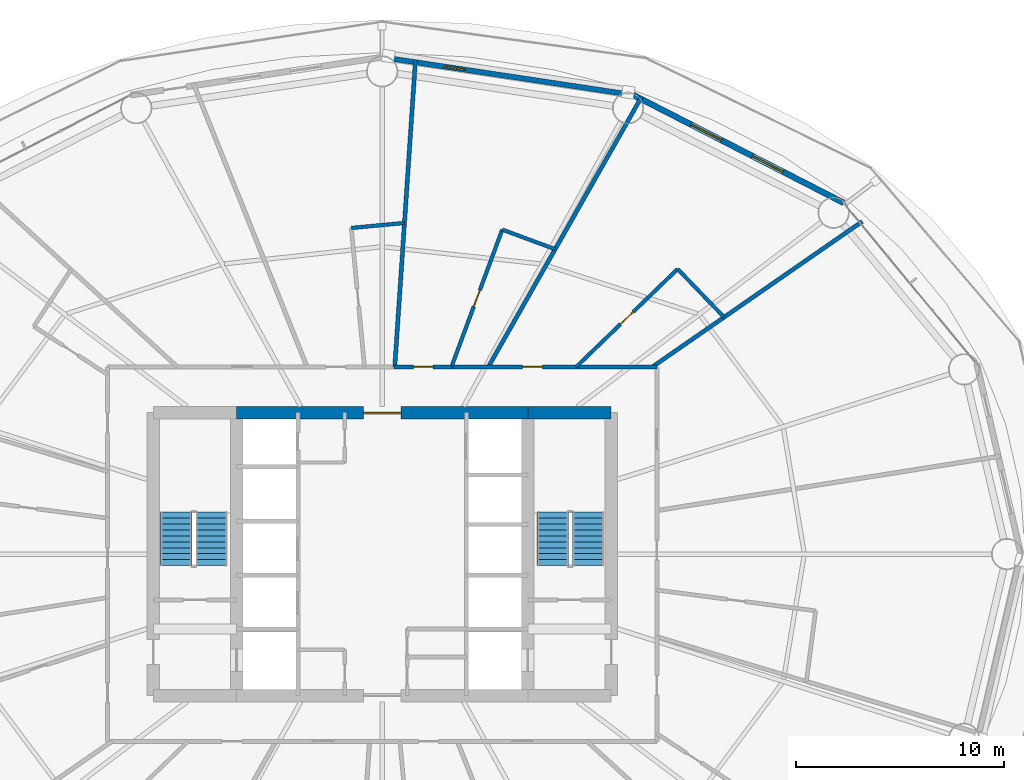
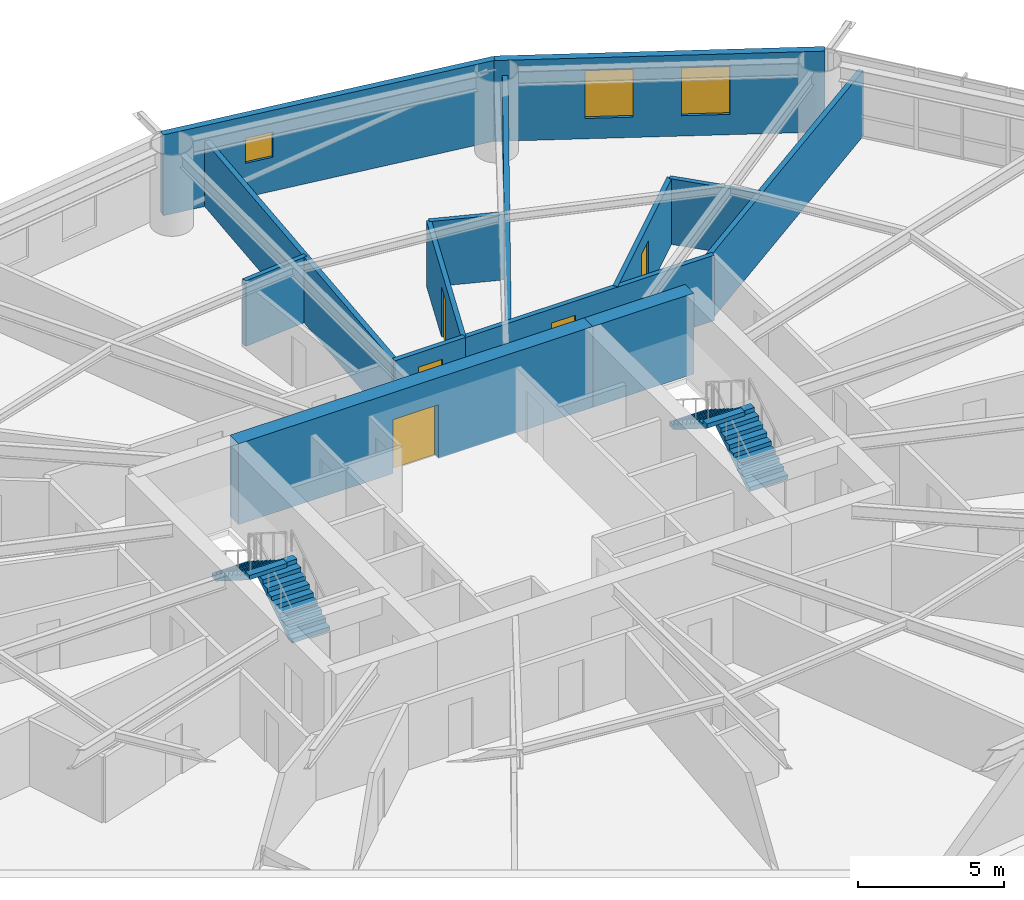
# One storey, part 23 of 26: 14 walls, 5 doors, 4 stair flights, 3 windows, 8 openings, 2 elements without a shape of their own.
"""IFC4 building model written with IfcOpenShell, lengths in metres."""

from ifc_helpers import new_model, si_unit, direction, frame, frame_2d, origin, place, context, subcontext, project, spatial, polyline, rectangle, outline, extrude, material, layer, layer_set, type_object, element, fill, aggregate, save


model = new_model("IFC4")

# Units and contexts
model_context = context("Model", 3, precision=1e-05, world=origin(), true_north=direction((0.0, 1.0)))
body_context = subcontext(model_context, "Body", "Model", "MODEL_VIEW")
ifc_project = project(units=[si_unit("LENGTHUNIT", "METRE"), si_unit("AREAUNIT", "SQUARE_METRE"), si_unit("VOLUMEUNIT", "CUBIC_METRE"), si_unit("PLANEANGLEUNIT", "RADIAN"), si_unit("MASSUNIT", "GRAM", prefix="KILO")], contexts=[model_context])

# Site, building, storey
site_placement = place(None, origin())
site = spatial("IfcSite", under=ifc_project, at=site_placement, CompositionType="ELEMENT")
building_placement = place(site_placement, origin())
building = spatial("IfcBuilding", under=site, at=building_placement, Name="Sarneth Arch Tower", CompositionType="ELEMENT")
storey_placement = place(building_placement, frame((0.0, 0.0, 64.199951171875)))
storey = spatial("IfcBuildingStorey", under=building, at=storey_placement, Name="L15", CompositionType="ELEMENT", Elevation=64.199951171875)

# Wall, opening, door
ifc_material_1 = material(Name="Concrete C60/75", Category="concrete")
ifc_layer_1 = layer(ifc_material_1, 0.60009765625)
ifc_layer_set_1 = layer_set([ifc_layer_1], Name="Concrete C60/75")
wall_type_1 = type_object("IfcWallType", Name="WALL-CORE-600", PredefinedType="SHEAR", material=ifc_layer_set_1)
wall_1_placement = place(storey_placement, frame((41.0, 48.800048828125, 0.0), z_axis=(0.0, 0.0, 1.0), x_axis=(1.0, 0.0, 0.0)))
wall_1 = element("IfcWall", 1, at=wall_1_placement, inside=storey, type_object=wall_type_1, Name="L15 Core shear wall N-M", PredefinedType="SHEAR", context=body_context, shape_type="SweptSolid", body=[
    extrude(rectangle(XDim=14.0, YDim=0.60009765625, at=frame_2d((7.0, 0.0))), origin(), (0.0, 0.0, 1.0), 3.380126953125),
])
opening_1_placement = place(wall_1_placement, frame((6.10009765625, 0.0, 0.0)))
opening_1 = element("IfcOpeningElement", 2, at=opening_1_placement, cuts=wall_1, Name="Opening FD-01", PredefinedType="OPENING", context=body_context, shape_type="SweptSolid", body=[
    extrude(rectangle(XDim=1.800048828125, YDim=2.25, at=frame_2d((0.89990234375, 1.125))), frame((0.0, 0.31005859375, 0.0), z_axis=(0.0, -1.0, 0.0), x_axis=(1.0, 0.0, 0.0)), (0.0, 0.0, 1.0), 0.6201171875),
])
ifc_material_2 = material(Name="Galvanised Steel S275 fire door set", Category="steel")
door_type_1 = type_object("IfcDoorType", Name="DR-FD90-1800", OperationType="DOUBLE_DOOR_SINGLE_SWING", PredefinedType="DOOR", material=ifc_material_2)
door_1_placement = place(opening_1_placement, origin())
door_1 = element("IfcDoor", 3, at=door_1_placement, inside=storey, type_object=door_type_1, Name="L15 Central lift lobby north door", OperationType="DOUBLE_DOOR_SINGLE_SWING", OverallHeight=2.25, OverallWidth=1.800048828125, PredefinedType="DOOR", context=body_context, shape_type="SweptSolid", body=[
    extrude(rectangle(XDim=1.800048828125, YDim=2.25, at=frame_2d((0.89990234375, 1.125))), frame((0.0, 0.02490234375, 0.0), z_axis=(0.0, -1.0, 0.0), x_axis=(1.0, 0.0, 0.0)), (0.0, 0.0, 1.0), 0.050048828125),
])
fill(opening_1, door_1)

# Wall
wall_2_placement = place(storey_placement, frame((55.0, 48.800048828125, 0.0), z_axis=(0.0, 0.0, 1.0), x_axis=(1.0, 0.0, 0.0)))
element("IfcWall", 4, at=wall_2_placement, inside=storey, type_object=wall_type_1, Name="L15 Core shear wall N-E", PredefinedType="SHEAR", context=body_context, shape_type="SweptSolid", body=[
    extrude(rectangle(XDim=4.0, YDim=0.60009765625, at=frame_2d((2.0, 0.0))), origin(), (0.0, 0.0, 1.0), 3.380126953125),
])

# Wall, opening, door
ifc_material_3 = material(Name="Double steel-stud corridor fire wall", Category="steel")
ifc_layer_2 = layer(ifc_material_3, 0.18994140625)
ifc_layer_set_2 = layer_set([ifc_layer_2], Name="Double steel-stud corridor fire wall")
wall_type_2 = type_object("IfcWallType", Name="WALL-CORR-190", PredefinedType="PARTITIONING", material=ifc_layer_set_2)
wall_3_placement = place(storey_placement, frame((51.297607421875, 51.0, 0.0), z_axis=(0.0, 0.0, 1.0), x_axis=(1.0, 0.0, 0.0)))
wall_3 = element("IfcWall", 5, at=wall_3_placement, inside=storey, type_object=wall_type_2, Name="L15 Interior partition W-L15-TP-003", PredefinedType="PARTITIONING", context=body_context, shape_type="SweptSolid", body=[
    extrude(rectangle(XDim=9.90234375, YDim=0.18994140625, at=frame_2d((4.951171875, 0.0))), origin(), (0.0, 0.0, 1.0), 2.739990234375),
])
opening_2_placement = place(wall_3_placement, frame((3.449951171875, 0.0, 0.0)))
opening_2 = element("IfcOpeningElement", 6, at=opening_2_placement, cuts=wall_3, Name="Opening FD-09", PredefinedType="OPENING", context=body_context, shape_type="SweptSolid", body=[
    extrude(rectangle(XDim=0.949951171875, YDim=2.14990234375, at=frame_2d((0.47509765625, 1.074951171875))), frame((0.0, 0.10498046875, 0.0), z_axis=(0.0, -1.0, 0.0), x_axis=(1.0, 0.0, 0.0)), (0.0, 0.0, 1.0), 0.2099609375),
])
ifc_material_4 = material(Name="Hardwood timber hotel entrance fire door", Category="wood")
door_type_2 = type_object("IfcDoorType", Name="DR-FD60-950", OperationType="SINGLE_SWING_RIGHT", PredefinedType="DOOR", material=ifc_material_4)
door_2_placement = place(opening_2_placement, origin())
door_2 = element("IfcDoor", 7, at=door_2_placement, inside=storey, type_object=door_type_2, Name="L15 Interior door DR-L15-KEY-02", OperationType="SINGLE_SWING_LEFT", OverallHeight=2.14990234375, OverallWidth=0.949951171875, PredefinedType="DOOR", context=body_context, shape_type="SweptSolid", body=[
    extrude(rectangle(XDim=0.949951171875, YDim=2.14990234375, at=frame_2d((0.47509765625, 1.074951171875))), frame((0.0, 0.02490234375, 0.0), z_axis=(0.0, -1.0, 0.0), x_axis=(1.0, 0.0, 0.0)), (0.0, 0.0, 1.0), 0.050048828125),
])
fill(opening_2, door_2)

wall_4_placement = place(storey_placement, frame((48.57470703125, 51.0, 0.0), z_axis=(0.0, 0.0, 1.0), x_axis=(1.0, 0.0, 0.0)))
wall_4 = element("IfcWall", 8, at=wall_4_placement, inside=storey, type_object=wall_type_2, Name="L15 Interior partition W-L15-TP-005", PredefinedType="PARTITIONING", context=body_context, shape_type="SweptSolid", body=[
    extrude(rectangle(XDim=2.791259765625, YDim=0.18994140625, at=frame_2d((1.3955078125, 0.0))), origin(), (0.0, 0.0, 1.0), 2.739990234375),
])
opening_3_placement = place(wall_4_placement, frame((0.920654296875, 0.0, 0.0)))
opening_3 = element("IfcOpeningElement", 9, at=opening_3_placement, cuts=wall_4, Name="Opening FD-09", PredefinedType="OPENING", context=body_context, shape_type="SweptSolid", body=[
    extrude(rectangle(XDim=0.949951171875, YDim=2.14990234375, at=frame_2d((0.47509765625, 1.074951171875))), frame((0.0, 0.10498046875, 0.0), z_axis=(0.0, -1.0, 0.0), x_axis=(1.0, 0.0, 0.0)), (0.0, 0.0, 1.0), 0.2099609375),
])
door_3_placement = place(opening_3_placement, origin())
door_3 = element("IfcDoor", 10, at=door_3_placement, inside=storey, type_object=door_type_2, Name="L15 Interior door DR-L15-KEY-03", OperationType="SINGLE_SWING_LEFT", OverallHeight=2.14990234375, OverallWidth=0.949951171875, PredefinedType="DOOR", context=body_context, shape_type="SweptSolid", body=[
    extrude(rectangle(XDim=0.949951171875, YDim=2.14990234375, at=frame_2d((0.47509765625, 1.074951171875))), frame((0.0, 0.02490234375, 0.0), z_axis=(0.0, -1.0, 0.0), x_axis=(1.0, 0.0, 0.0)), (0.0, 0.0, 1.0), 0.050048828125),
])
fill(opening_3, door_3)

# Wall, opening, window
ifc_material_5 = material(Name="Extruded terracotta rainscreen on Concrete C40/50 backing", Category="masonry")
ifc_layer_3 = layer(ifc_material_5, 0.25)
ifc_layer_set_3 = layer_set([ifc_layer_3], Name="Extruded terracotta rainscreen on Concrete C40/50 backing")
wall_type_3 = type_object("IfcWallType", Name="WALL-EXT-SPAND-250", PredefinedType="SOLIDWALL", material=ifc_layer_set_3)
wall_5_placement = place(storey_placement, frame((60.077880859375, 64.062255859375, 0.0), z_axis=(0.0, 0.0, 1.0), x_axis=(-0.988864835849, 0.148816452121, 0.0)))
wall_5 = element("IfcWall", 11, at=wall_5_placement, inside=storey, type_object=wall_type_3, Name="L15 Terracotta perimeter wall 04", PredefinedType="SOLIDWALL", context=body_context, shape_type="SweptSolid", body=[
    extrude(rectangle(XDim=12.2138671875, YDim=0.25, at=frame_2d((6.10693359375, 0.0))), origin(), (0.0, 0.0, 1.0), 3.380126953125),
])
opening_4_placement = place(wall_5_placement, frame((8.182861328125, 0.0, 1.419921875)))
opening_4 = element("IfcOpeningElement", 12, at=opening_4_placement, cuts=wall_5, Name="Opening W-14", PredefinedType="OPENING", context=body_context, shape_type="SweptSolid", body=[
    extrude(rectangle(XDim=1.0, YDim=1.050048828125, at=frame_2d((0.5, 0.52490234375))), frame((0.0, 0.135009765625, 0.0), z_axis=(0.0, -1.0, 0.0), x_axis=(1.0, 0.0, 0.0)), (0.0, 0.0, 1.0), 0.27001953125),
])
ifc_material_6 = material(Name="Thermally broken Aluminium 6063-T6 and low-e laminated IGU", Category="aluminium")
window_type_1 = type_object("IfcWindowType", Name="WIN-TWR-1000x1050", PartitioningType="SINGLE_PANEL", PredefinedType="WINDOW", material=ifc_material_6)
window_1_placement = place(opening_4_placement, origin())
window_1 = element("IfcWindow", 13, at=window_1_placement, inside=storey, type_object=window_type_1, Name="L15 Dwelling bedroom window 01", OverallHeight=1.050048828125, OverallWidth=1.0, PartitioningType="SINGLE_PANEL", PredefinedType="WINDOW", context=body_context, shape_type="SweptSolid", body=[
    extrude(rectangle(XDim=1.0, YDim=1.050048828125, at=frame_2d((0.5, 0.52490234375))), frame((0.0, 0.030029296875, 0.0), z_axis=(0.0, -1.0, 0.0), x_axis=(1.0, 0.0, 0.0)), (0.0, 0.0, 1.0), 0.06005859375),
])
fill(opening_4, window_1)

# Wall, openings, windows
ifc_material_7 = material(Name="Extruded terracotta rainscreen on Concrete C40/50 backing", Category="masonry")
ifc_layer_4 = layer(ifc_material_7, 0.280029296875)
ifc_layer_set_4 = layer_set([ifc_layer_4], Name="Extruded terracotta rainscreen on Concrete C40/50 backing")
wall_type_4 = type_object("IfcWallType", Name="WALL-EXT-TERRA-280", PredefinedType="SOLIDWALL", material=ifc_layer_set_4)
wall_6_placement = place(storey_placement, frame((70.174072265625, 58.8857421875, 0.0), z_axis=(0.0, 0.0, 1.0), x_axis=(-0.889853976658, 0.456245438581, 0.0)))
wall_6 = element("IfcWall", 14, at=wall_6_placement, inside=storey, type_object=wall_type_4, Name="L15 Terracotta perimeter wall 03", PredefinedType="SOLIDWALL", context=body_context, shape_type="SweptSolid", body=[
    extrude(rectangle(XDim=11.345947265625, YDim=0.280029296875, at=frame_2d((5.6728515625, 0.0))), origin(), (0.0, 0.0, 1.0), 3.380126953125),
])
opening_5_placement = place(wall_6_placement, frame((3.26708984375, 0.0, 0.85009765625)))
opening_5 = element("IfcOpeningElement", 15, at=opening_5_placement, cuts=wall_6, Name="Opening W-05", PredefinedType="OPENING", context=body_context, shape_type="SweptSolid", body=[
    extrude(rectangle(XDim=1.64990234375, YDim=2.0, at=frame_2d((0.824951171875, 1.0))), frame((0.0, 0.14990234375, 0.0), z_axis=(0.0, -1.0, 0.0), x_axis=(1.0, 0.0, 0.0)), (0.0, 0.0, 1.0), 0.300048828125),
])
opening_6_placement = place(wall_6_placement, frame((6.5791015625, 0.0, 0.85009765625)))
opening_6 = element("IfcOpeningElement", 16, at=opening_6_placement, cuts=wall_6, Name="Opening W-05", PredefinedType="OPENING", context=body_context, shape_type="SweptSolid", body=[
    extrude(rectangle(XDim=1.64990234375, YDim=2.0, at=frame_2d((0.824951171875, 1.0))), frame((0.0, 0.14990234375, 0.0), z_axis=(0.0, -1.0, 0.0), x_axis=(1.0, 0.0, 0.0)), (0.0, 0.0, 1.0), 0.300048828125),
])
ifc_material_8 = material(Name="Thermally broken Aluminium 6063-T6 and low-e laminated IGU", Category="aluminium")
window_type_2 = type_object("IfcWindowType", Name="WIN-TWR-1650x2000", PartitioningType="DOUBLE_PANEL_VERTICAL", PredefinedType="WINDOW", material=ifc_material_8)
window_2_placement = place(opening_5_placement, origin())
window_2 = element("IfcWindow", 17, at=window_2_placement, inside=storey, type_object=window_type_2, Name="L15 Exterior window 03A", OverallHeight=2.0, OverallWidth=1.64990234375, PartitioningType="SINGLE_PANEL", PredefinedType="WINDOW", context=body_context, shape_type="SweptSolid", body=[
    extrude(rectangle(XDim=1.64990234375, YDim=2.0, at=frame_2d((0.824951171875, 1.0))), frame((0.0, 0.030029296875, 0.0), z_axis=(0.0, -1.0, 0.0), x_axis=(1.0, 0.0, 0.0)), (0.0, 0.0, 1.0), 0.06005859375),
])
fill(opening_5, window_2)
window_3_placement = place(opening_6_placement, origin())
window_3 = element("IfcWindow", 18, at=window_3_placement, inside=storey, type_object=window_type_2, Name="L15 Exterior window 03B", OverallHeight=2.0, OverallWidth=1.64990234375, PartitioningType="SINGLE_PANEL", PredefinedType="WINDOW", context=body_context, shape_type="SweptSolid", body=[
    extrude(rectangle(XDim=1.64990234375, YDim=2.0, at=frame_2d((0.824951171875, 1.0))), frame((0.0, 0.030029296875, 0.0), z_axis=(0.0, -1.0, 0.0), x_axis=(1.0, 0.0, 0.0)), (0.0, 0.0, 1.0), 0.06005859375),
])
fill(opening_6, window_3)

# Wall, opening, door
ifc_material_9 = material(Name="Moisture-resistant plumbing chase wall", Category="gypsum")
ifc_layer_5 = layer(ifc_material_9, 0.179931640625)
ifc_layer_set_5 = layer_set([ifc_layer_5], Name="Moisture-resistant plumbing chase wall")
wall_type_5 = type_object("IfcWallType", Name="WALL-PLUMB-180", PredefinedType="PLUMBINGWALL", material=ifc_layer_set_5)
wall_7_placement = place(storey_placement, frame((53.77294921875, 57.59423828125, 0.0), z_axis=(0.0, 0.0, 1.0), x_axis=(-0.347170736851, -0.93780194043, 0.0)))
wall_7 = element("IfcWall", 19, at=wall_7_placement, inside=storey, type_object=wall_type_5, Name="L15 Interior partition W-L15-TP-037", PredefinedType="PLUMBINGWALL", context=body_context, shape_type="SweptSolid", body=[
    extrude(rectangle(XDim=7.031494140625, YDim=0.179931640625, at=frame_2d((3.515625, 0.0))), origin(), (0.0, 0.0, 1.0), 2.739990234375),
])
opening_7_placement = place(wall_7_placement, frame((3.0908203125, 0.0, 0.0)))
opening_7 = element("IfcOpeningElement", 20, at=opening_7_placement, cuts=wall_7, Name="Opening ID-02", PredefinedType="OPENING", context=body_context, shape_type="SweptSolid", body=[
    extrude(rectangle(XDim=0.85009765625, YDim=2.10009765625, at=frame_2d((0.425048828125, 1.050048828125))), frame((0.0, 0.099853515625, 0.0), z_axis=(0.0, -1.0, 0.0), x_axis=(1.0, 0.0, 0.0)), (0.0, 0.0, 1.0), 0.199951171875),
])
ifc_material_10 = material(Name="Moisture-resistant bathroom timber door", Category="wood")
door_type_3 = type_object("IfcDoorType", Name="DR-INT-850", OperationType="SINGLE_SWING_RIGHT", PredefinedType="DOOR", material=ifc_material_10)
door_4_placement = place(opening_7_placement, origin())
door_4 = element("IfcDoor", 21, at=door_4_placement, inside=storey, type_object=door_type_3, Name="L15 Interior door DR-L15-ENS-03", OperationType="SINGLE_SWING_RIGHT", OverallHeight=2.10009765625, OverallWidth=0.85009765625, PredefinedType="DOOR", context=body_context, shape_type="SweptSolid", body=[
    extrude(rectangle(XDim=0.85009765625, YDim=2.10009765625, at=frame_2d((0.425048828125, 1.050048828125))), frame((0.0, 0.02490234375, 0.0), z_axis=(0.0, -1.0, 0.0), x_axis=(1.0, 0.0, 0.0)), (0.0, 0.0, 1.0), 0.050048828125),
])
fill(opening_7, door_4)

wall_8_placement = place(storey_placement, frame((62.201904296875, 55.701171875, 0.0), z_axis=(0.0, 0.0, 1.0), x_axis=(-0.719667322044, -0.69431905172, 0.0)))
wall_8 = element("IfcWall", 22, at=wall_8_placement, inside=storey, type_object=wall_type_5, Name="L15 Interior partition W-L15-TP-033", PredefinedType="PLUMBINGWALL", context=body_context, shape_type="SweptSolid", body=[
    extrude(rectangle(XDim=6.77099609375, YDim=0.179931640625, at=frame_2d((3.385498046875, 0.0))), origin(), (0.0, 0.0, 1.0), 2.739990234375),
])
opening_8_placement = place(wall_8_placement, frame((2.96044921875, 0.0, 0.0)))
opening_8 = element("IfcOpeningElement", 23, at=opening_8_placement, cuts=wall_8, Name="Opening ID-02", PredefinedType="OPENING", context=body_context, shape_type="SweptSolid", body=[
    extrude(rectangle(XDim=0.85009765625, YDim=2.10009765625, at=frame_2d((0.425048828125, 1.050048828125))), frame((0.0, 0.099853515625, 0.0), z_axis=(0.0, -1.0, 0.0), x_axis=(1.0, 0.0, 0.0)), (0.0, 0.0, 1.0), 0.199951171875),
])
door_5_placement = place(opening_8_placement, origin())
door_5 = element("IfcDoor", 24, at=door_5_placement, inside=storey, type_object=door_type_3, Name="L15 Interior door DR-L15-ENS-02", OperationType="SINGLE_SWING_RIGHT", OverallHeight=2.10009765625, OverallWidth=0.85009765625, PredefinedType="DOOR", context=body_context, shape_type="SweptSolid", body=[
    extrude(rectangle(XDim=0.85009765625, YDim=2.10009765625, at=frame_2d((0.425048828125, 1.050048828125))), frame((0.0, 0.02490234375, 0.0), z_axis=(0.0, -1.0, 0.0), x_axis=(1.0, 0.0, 0.0)), (0.0, 0.0, 1.0), 0.050048828125),
])
fill(opening_8, door_5)

# Walls
wall_9_placement = place(storey_placement, frame((64.43505859375, 53.38623046875, 0.0), z_axis=(0.0, 0.0, 1.0), x_axis=(-0.694278833189, 0.719706121821, 0.0)))
element("IfcWall", 25, at=wall_9_placement, inside=storey, type_object=wall_type_5, Name="L15 Interior partition W-L15-TP-032", PredefinedType="PLUMBINGWALL", context=body_context, shape_type="SweptSolid", body=[
    extrude(rectangle(XDim=3.216552734375, YDim=0.179931640625, at=frame_2d((1.6083984375, 0.0))), origin(), (0.0, 0.0, 1.0), 2.739990234375),
])
wall_10_placement = place(storey_placement, frame((56.314697265625, 56.6533203125, 0.0), z_axis=(0.0, 0.0, 1.0), x_axis=(-0.937805250992, 0.347161793999, 0.0)))
element("IfcWall", 26, at=wall_10_placement, inside=storey, type_object=wall_type_5, Name="L15 Interior partition W-L15-TP-036", PredefinedType="PLUMBINGWALL", context=body_context, shape_type="SweptSolid", body=[
    extrude(rectangle(XDim=2.710205078125, YDim=0.179931640625, at=frame_2d((1.35498046875, 0.0))), origin(), (0.0, 0.0, 1.0), 2.739990234375),
])
wall_11_placement = place(storey_placement, frame((49.072998046875, 57.915283203125, 0.0), z_axis=(0.0, 0.0, 1.0), x_axis=(-0.995563205557, -0.09409518447, 0.0)))
element("IfcWall", 27, at=wall_11_placement, inside=storey, type_object=wall_type_5, Name="L15 Interior partition W-L15-TP-040", PredefinedType="PLUMBINGWALL", context=body_context, shape_type="SweptSolid", body=[
    extrude(rectangle(XDim=2.566162109375, YDim=0.179931640625, at=frame_2d((1.283203125, 0.0))), origin(), (0.0, 0.0, 1.0), 2.739990234375),
])
ifc_material_11 = material(Name="Double steel-stud acoustic drywall", Category="steel")
ifc_layer_6 = layer(ifc_material_11, 0.199951171875)
ifc_layer_set_6 = layer_set([ifc_layer_6], Name="Double steel-stud acoustic drywall")
wall_type_6 = type_object("IfcWallType", Name="WALL-UNIT-200", PredefinedType="PARTITIONING", material=ifc_layer_set_6)
wall_12_placement = place(storey_placement, frame((53.106689453125, 51.0, 0.0), z_axis=(0.0, 0.0, 1.0), x_axis=(0.493512300658, 0.869738816599, 0.0)))
element("IfcWall", 28, at=wall_12_placement, inside=storey, type_object=wall_type_6, Name="L15 Interior partition W-L15-TP-034", PredefinedType="PARTITIONING", context=body_context, shape_type="SweptSolid", body=[
    extrude(rectangle(XDim=14.9375, YDim=0.199951171875, at=frame_2d((7.46875, 0.0))), origin(), (0.0, 0.0, 1.0), 2.739990234375),
])
wall_13_placement = place(storey_placement, frame((60.99072265625, 51.0, 0.0), z_axis=(0.0, 0.0, 1.0), x_axis=(0.821999402566, 0.569488351226, 0.0)))
element("IfcWall", 29, at=wall_13_placement, inside=storey, type_object=wall_type_6, Name="L15 Interior partition W-L15-TP-029", PredefinedType="PARTITIONING", context=body_context, shape_type="SweptSolid", body=[
    extrude(rectangle(XDim=12.266357421875, YDim=0.199951171875, at=frame_2d((6.13330078125, 0.0))), origin(), (0.0, 0.0, 1.0), 2.739990234375),
])
wall_14_placement = place(storey_placement, frame((48.606689453125, 51.0, 0.0), z_axis=(0.0, 0.0, 1.0), x_axis=(0.067284649742, 0.997733820169, 0.0)))
element("IfcWall", 30, at=wall_14_placement, inside=storey, type_object=wall_type_6, Name="L15 Interior partition W-L15-TP-038", PredefinedType="PARTITIONING", context=body_context, shape_type="SweptSolid", body=[
    extrude(rectangle(XDim=14.793212890625, YDim=0.199951171875, at=frame_2d((7.396484375, 0.0))), origin(), (0.0, 0.0, 1.0), 2.739990234375),
])

# Stair, stair flights
ifc_material_12 = material(Name="Concrete C50/60", Category="concrete")
stair_type = type_object("IfcStairType", Name="STAIR-CORE-RC", PredefinedType="HALF_TURN_STAIR", material=ifc_material_12)
stair_1_placement = place(storey_placement, origin())
stair_1 = element("IfcStair", 31, at=stair_1_placement, inside=storey, type_object=stair_type, Name="L15 Core Exit Stair 1", PredefinedType="HALF_TURN_STAIR")
ifc_material_13 = material(Name="Concrete C50/60", Category="concrete")
stair_flight_type = type_object("IfcStairFlightType", Name="FLIGHT-RC-1500", PredefinedType="STRAIGHT", material=ifc_material_13)
stair_flight_1_placement = place(storey_placement, frame((39.800048828125, 41.449951171875, 0.0), z_axis=(0.0, 0.0, 1.0), x_axis=(0.0, 1.0, 0.0)))
stair_flight_1 = element("IfcStairFlight", 32, at=stair_flight_1_placement, type_object=stair_flight_type, Name="ST-1 flight 1", NumberOfRisers=10, NumberOfTreads=9, PredefinedType="STRAIGHT", RiserHeight=0.18, TreadLength=0.285, context=body_context, shape_type="SweptSolid", body=[
    extrude(outline(polyline([(0.0, 0.0), (0.0, 0.179931640625), (0.284912109375, 0.179931640625), (0.284912109375, 0.360107421875), (0.570068359375, 0.360107421875), (0.570068359375, 0.5400390625), (0.85498046875, 0.5400390625), (0.85498046875, 0.719970703125), (1.139892578125, 0.719970703125), (1.139892578125, 0.89990234375), (1.425048828125, 0.89990234375), (1.425048828125, 1.080078125), (1.7099609375, 1.080078125), (1.7099609375, 1.260009765625), (1.9951171875, 1.260009765625), (1.9951171875, 1.43994140625), (2.280029296875, 1.43994140625), (2.280029296875, 1.6201171875), (2.56494140625, 1.6201171875), (2.56494140625, 1.800048828125), (2.56494140625, 1.442626953125), (0.28076171875, 0.0), (0.0, 0.0)])), frame((0.0, 0.75, 0.0), z_axis=(0.0, -1.0, 0.0), x_axis=(1.0, 0.0, 0.0)), (0.0, 0.0, 1.0), 1.5),
])
stair_flight_2_placement = place(storey_placement, frame((38.10009765625, 44.014892578125, 1.800048828125), z_axis=(0.0, 0.0, 1.0), x_axis=(0.0, -1.0, 0.0)))
stair_flight_2 = element("IfcStairFlight", 33, at=stair_flight_2_placement, type_object=stair_flight_type, Name="ST-1 flight 2", NumberOfRisers=10, NumberOfTreads=9, PredefinedType="STRAIGHT", RiserHeight=0.18, TreadLength=0.285, context=body_context, shape_type="SweptSolid", body=[
    extrude(outline(polyline([(0.0, 0.0), (0.0, 0.179931640625), (0.284912109375, 0.179931640625), (0.284912109375, 0.360107421875), (0.570068359375, 0.360107421875), (0.570068359375, 0.5400390625), (0.85498046875, 0.5400390625), (0.85498046875, 0.719970703125), (1.139892578125, 0.719970703125), (1.139892578125, 0.89990234375), (1.425048828125, 0.89990234375), (1.425048828125, 1.080078125), (1.7099609375, 1.080078125), (1.7099609375, 1.260009765625), (1.9951171875, 1.260009765625), (1.9951171875, 1.43994140625), (2.280029296875, 1.43994140625), (2.280029296875, 1.6201171875), (2.56494140625, 1.6201171875), (2.56494140625, 1.800048828125), (2.56494140625, 1.442626953125), (0.28076171875, 0.0), (0.0, 0.0)])), frame((0.0, 0.75, 0.0), z_axis=(0.0, -1.0, 0.0), x_axis=(1.0, 0.0, 0.0)), (0.0, 0.0, 1.0), 1.5),
])
aggregate(stair_1, [stair_flight_1, stair_flight_2])

stair_2_placement = place(storey_placement, origin())
stair_2 = element("IfcStair", 34, at=stair_2_placement, inside=storey, type_object=stair_type, Name="L15 Core Exit Stair 2", PredefinedType="HALF_TURN_STAIR")
stair_flight_3_placement = place(storey_placement, frame((57.89990234375, 41.449951171875, 0.0), z_axis=(0.0, 0.0, 1.0), x_axis=(0.0, 1.0, 0.0)))
stair_flight_3 = element("IfcStairFlight", 35, at=stair_flight_3_placement, type_object=stair_flight_type, Name="ST-2 flight 1", NumberOfRisers=10, NumberOfTreads=9, PredefinedType="STRAIGHT", RiserHeight=0.18, TreadLength=0.285, context=body_context, shape_type="SweptSolid", body=[
    extrude(outline(polyline([(0.0, 0.0), (0.0, 0.179931640625), (0.284912109375, 0.179931640625), (0.284912109375, 0.360107421875), (0.570068359375, 0.360107421875), (0.570068359375, 0.5400390625), (0.85498046875, 0.5400390625), (0.85498046875, 0.719970703125), (1.139892578125, 0.719970703125), (1.139892578125, 0.89990234375), (1.425048828125, 0.89990234375), (1.425048828125, 1.080078125), (1.7099609375, 1.080078125), (1.7099609375, 1.260009765625), (1.9951171875, 1.260009765625), (1.9951171875, 1.43994140625), (2.280029296875, 1.43994140625), (2.280029296875, 1.6201171875), (2.56494140625, 1.6201171875), (2.56494140625, 1.800048828125), (2.56494140625, 1.442626953125), (0.28076171875, 0.0), (0.0, 0.0)])), frame((0.0, 0.75, 0.0), z_axis=(0.0, -1.0, 0.0), x_axis=(1.0, 0.0, 0.0)), (0.0, 0.0, 1.0), 1.5),
])
stair_flight_4_placement = place(storey_placement, frame((56.199951171875, 44.014892578125, 1.800048828125), z_axis=(0.0, 0.0, 1.0), x_axis=(0.0, -1.0, 0.0)))
stair_flight_4 = element("IfcStairFlight", 36, at=stair_flight_4_placement, type_object=stair_flight_type, Name="ST-2 flight 2", NumberOfRisers=10, NumberOfTreads=9, PredefinedType="STRAIGHT", RiserHeight=0.18, TreadLength=0.285, context=body_context, shape_type="SweptSolid", body=[
    extrude(outline(polyline([(0.0, 0.0), (0.0, 0.179931640625), (0.284912109375, 0.179931640625), (0.284912109375, 0.360107421875), (0.570068359375, 0.360107421875), (0.570068359375, 0.5400390625), (0.85498046875, 0.5400390625), (0.85498046875, 0.719970703125), (1.139892578125, 0.719970703125), (1.139892578125, 0.89990234375), (1.425048828125, 0.89990234375), (1.425048828125, 1.080078125), (1.7099609375, 1.080078125), (1.7099609375, 1.260009765625), (1.9951171875, 1.260009765625), (1.9951171875, 1.43994140625), (2.280029296875, 1.43994140625), (2.280029296875, 1.6201171875), (2.56494140625, 1.6201171875), (2.56494140625, 1.800048828125), (2.56494140625, 1.442626953125), (0.28076171875, 0.0), (0.0, 0.0)])), frame((0.0, 0.75, 0.0), z_axis=(0.0, -1.0, 0.0), x_axis=(1.0, 0.0, 0.0)), (0.0, 0.0, 1.0), 1.5),
])
aggregate(stair_2, [stair_flight_3, stair_flight_4])

save(model, "model.ifc")
